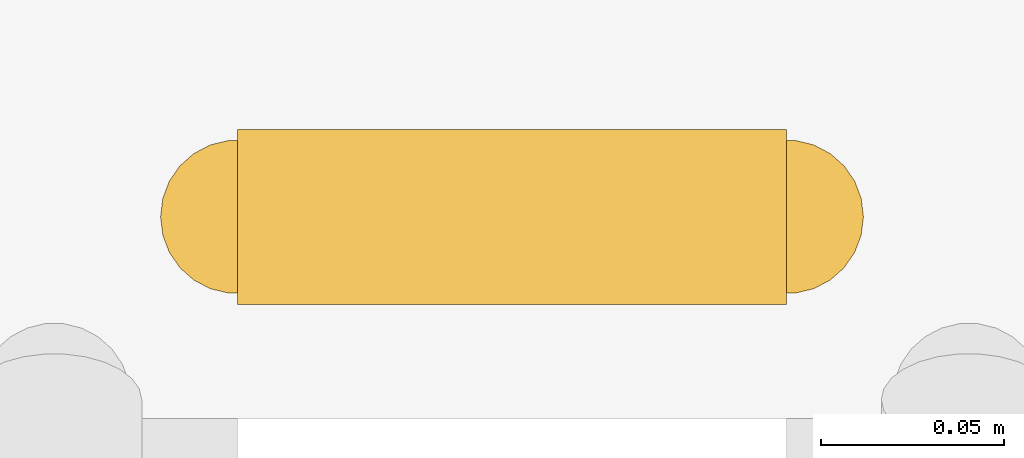
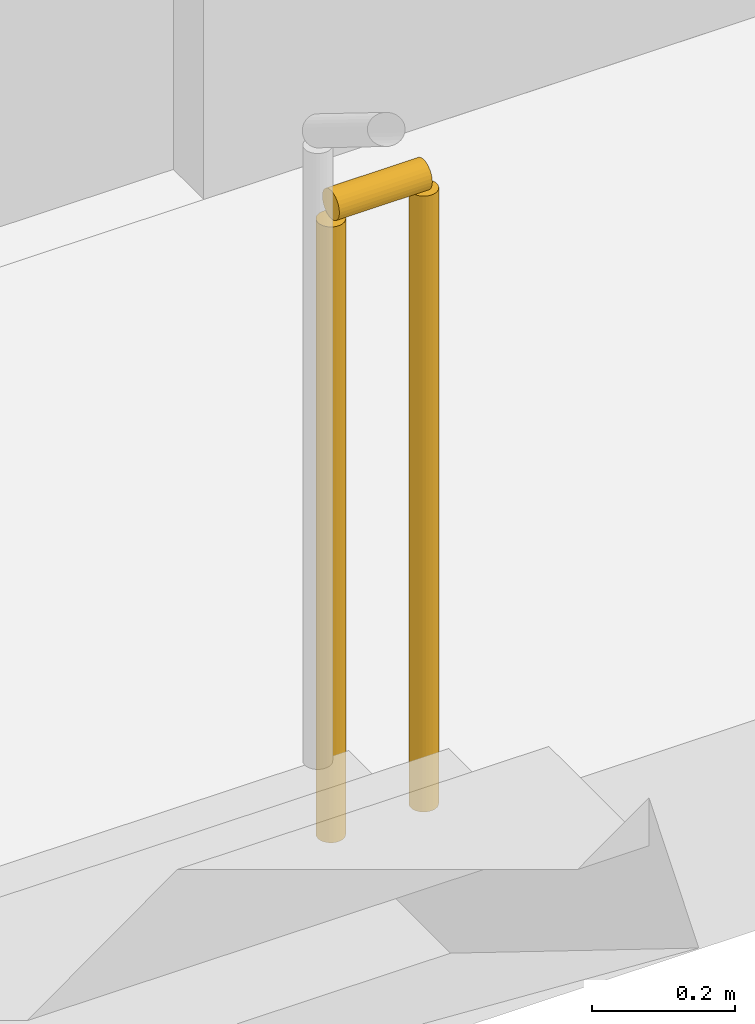
# One storey, part 33 of 41: 1 railing.
"""IFC4 building model written with IfcOpenShell, lengths in metres."""

from ifc_helpers import new_model, si_unit, direction, frame, origin, origin_2d, place, context, subcontext, project, spatial, circle, extrude, material, type_object, element, save


model = new_model("IFC4")

# Units and contexts
model_context = context("Model", 3, precision=1e-05, world=origin(), true_north=direction((0.0, 1.0)))
body_context = subcontext(model_context, "Body", "Model", "MODEL_VIEW")
ifc_project = project(units=[si_unit("LENGTHUNIT", "METRE"), si_unit("AREAUNIT", "SQUARE_METRE"), si_unit("VOLUMEUNIT", "CUBIC_METRE"), si_unit("PLANEANGLEUNIT", "RADIAN"), si_unit("MASSUNIT", "GRAM", prefix="KILO")], contexts=[model_context])

# Site, building, storey
site_placement = place(None, origin())
site = spatial("IfcSite", under=ifc_project, at=site_placement, CompositionType="ELEMENT")
building_placement = place(site_placement, origin())
building = spatial("IfcBuilding", under=site, at=building_placement, Name="Valdorenza Pilgrim Sanctuary Tower", CompositionType="ELEMENT")
storey_placement = place(building_placement, frame((0.0, 0.0, 20.800048828125)))
storey = spatial("IfcBuildingStorey", under=building, at=storey_placement, Name="L04", CompositionType="ELEMENT", Elevation=20.800048828125)

# Railing
ifc_material = material(Name="Stainless steel Grade 316", Category="steel")
railing_type = type_object("IfcRailingType", Name="RLG-GRD-1120", PredefinedType="GUARDRAIL", material=ifc_material)
railing_placement = place(storey_placement, frame((-20.570068359375, -3.429931640625, 0.0)))
element("IfcRailing", 1, at=railing_placement, inside=storey, type_object=railing_type, Name="L04 ST-A2 stair guard 4", PredefinedType="GUARDRAIL", context=body_context, shape_type="SweptSolid", body=[
    extrude(circle(Radius=0.02392578125, at=origin_2d()), frame((0.0, 0.0, 1.076171875), z_axis=(1.0, 0.0, 0.0), x_axis=(0.0, 1.0, 0.0)), (0.0, 0.0, 1.0), 0.150146484375),
    extrude(circle(Radius=0.02099609375, at=origin_2d()), origin(), (0.0, 0.0, 1.0), 1.052001953125),
    extrude(circle(Radius=0.02099609375, at=origin_2d()), frame((0.150146484375, 0.0, 0.0)), (0.0, 0.0, 1.0), 1.052001953125),
])

save(model, "model.ifc")
